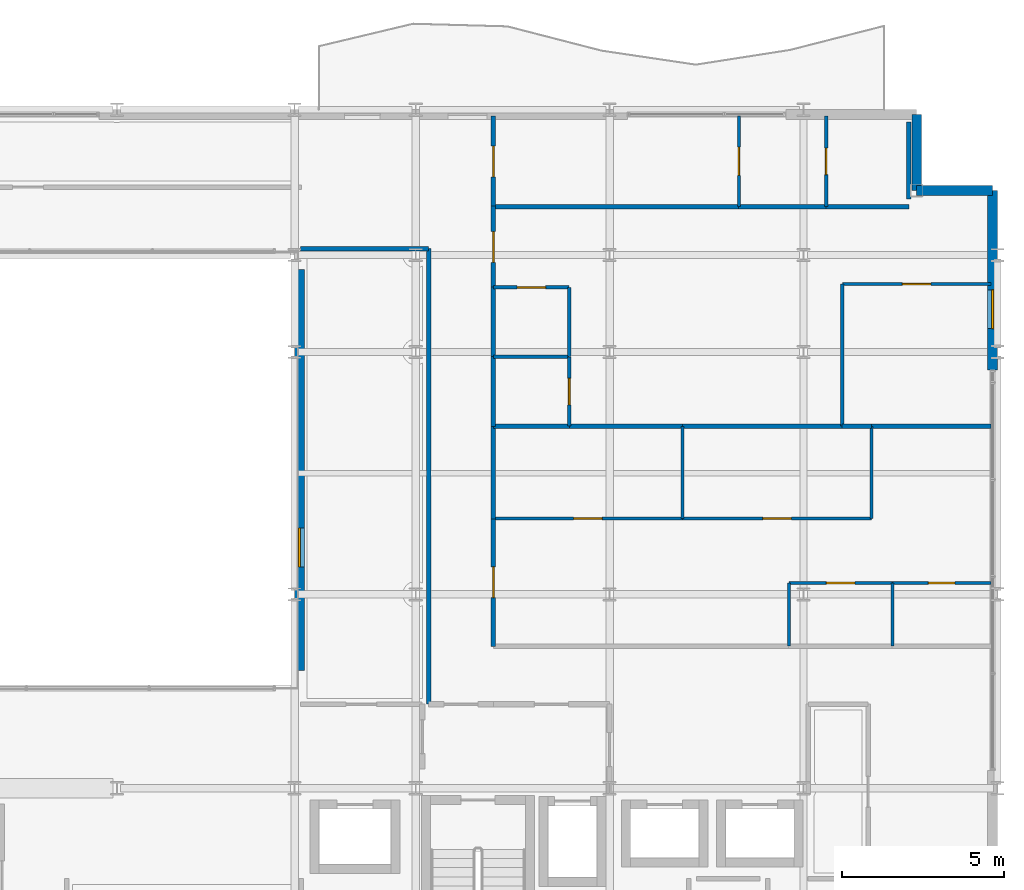
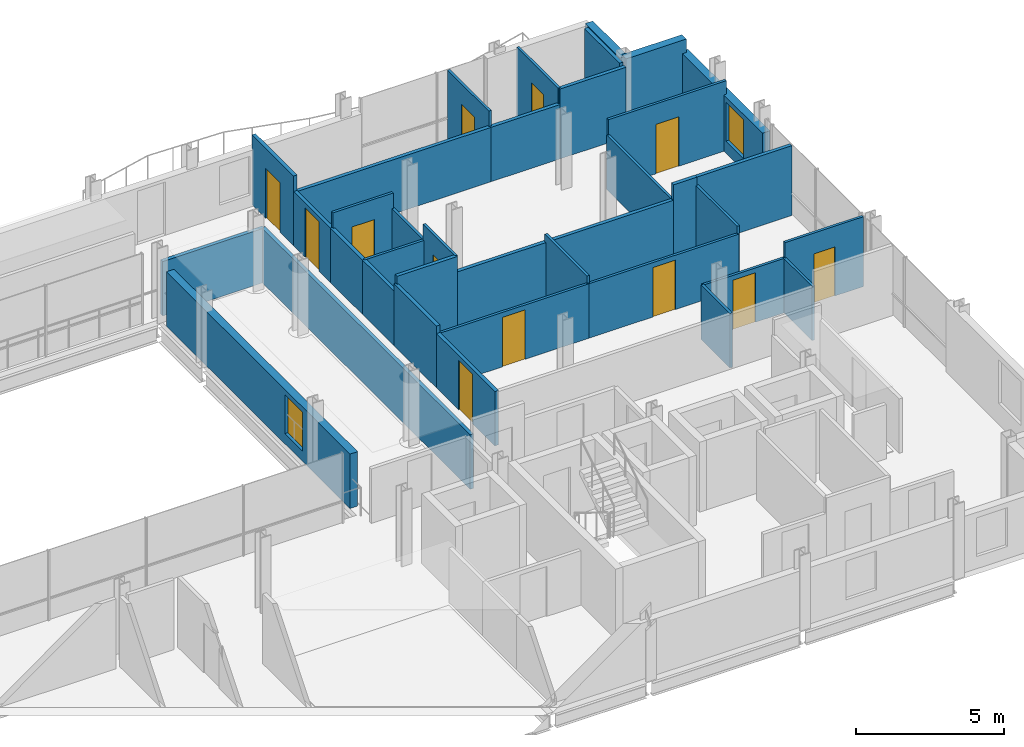
# One storey, part 37 of 41: 37 walls, 12 doors, 2 windows, 14 openings.
"""IFC4 building model written with IfcOpenShell, lengths in metres."""

import ifcopenshell
import ifcopenshell.guid

model = None  # the IFC model being written
_history = None  # IfcOwnerHistory: only IFC2X3 demands one
_inside = {}  # id of a spatial element -> (the spatial element, [elements in it])
_under = {}  # id of a project, library or spatial element -> (it, [spatial elements below it])
_declared = {}  # id of a project -> (the project, [libraries it declares])
_typed = {}  # id of a type object -> (the type object, [elements of that type])
_made_of = {}  # id of a material, layer set ... -> (it, [elements and type objects made of it])


def new_model(schema):
    """Start an empty IFC model of exactly this schema.

    Asked for "IFC4X3", IfcOpenShell would pick the latest addendum, in which some entities
    have other attributes; the version numbers below select the first issue.
    IFC2X3 requires an IfcOwnerHistory on every rooted entity: one is made here for all.
    """
    global model, _history
    if schema == "IFC4X3":
        model = ifcopenshell.file(schema_version=(4, 3, 0, 0))
    else:
        model = ifcopenshell.file(schema=schema)
    _inside.clear()
    _under.clear()
    _declared.clear()
    _typed.clear()
    _made_of.clear()
    _history = None
    if model.schema == "IFC2X3":
        org = make("IfcOrganization", Name="unknown")
        user = make(
            "IfcPersonAndOrganization",
            ThePerson=make("IfcPerson", FamilyName="unknown"),
            TheOrganization=org,
        )
        app = make(
            "IfcApplication",
            ApplicationDeveloper=org,
            Version="unknown",
            ApplicationFullName="unknown",
            ApplicationIdentifier="unknown",
        )
        _history = make(
            "IfcOwnerHistory",
            OwningUser=user,
            OwningApplication=app,
            ChangeAction="ADDED",
            CreationDate=0,
        )
    return model


def make(cls, **values):
    """One entity of the class cls with the attributes given. An attribute that is None is left unset."""
    return model.create_entity(
        cls, **{name: value for name, value in values.items() if value is not None}
    )


def rooted(cls, **values):
    """An entity with a GlobalId (a new one), such as an element, a storey or a relation."""
    return make(cls, GlobalId=ifcopenshell.guid.new(), OwnerHistory=_history, **values)


def si_unit(unit_type, name, prefix=None):
    """IfcSIUnit, for example si_unit("LENGTHUNIT", "METRE", prefix="MILLI")."""
    return make("IfcSIUnit", UnitType=unit_type, Prefix=prefix, Name=name)


def assignment(units):
    """IfcUnitAssignment: the units of a project."""
    return None if units is None else make("IfcUnitAssignment", Units=units)


def point(xyz):
    """IfcCartesianPoint."""
    return None if xyz is None else make("IfcCartesianPoint", Coordinates=xyz)


def direction(xyz):
    """IfcDirection."""
    return None if xyz is None else make("IfcDirection", DirectionRatios=xyz)


def frame(location, z_axis=None, x_axis=None):
    """IfcAxis2Placement3D, a coordinate frame: its origin and axes. An axis left out is left unset."""
    return make(
        "IfcAxis2Placement3D",
        Location=point(location),
        Axis=direction(z_axis),
        RefDirection=direction(x_axis),
    )


def frame_2d(location, x_axis=None):
    """IfcAxis2Placement2D, a coordinate frame in the plane: its origin and x axis."""
    return make(
        "IfcAxis2Placement2D", Location=point(location), RefDirection=direction(x_axis)
    )


def origin():
    """The frame at (0, 0, 0) with its axes left unset."""
    return frame((0.0, 0.0, 0.0))


def place(relative_to, where):
    """IfcLocalPlacement: puts the frame where relative to a parent placement (None: the world)."""
    return make(
        "IfcLocalPlacement", PlacementRelTo=relative_to, RelativePlacement=where
    )


def context(
    kind, dimensions, precision=None, world=None, true_north=None, identifier=None
):
    """IfcGeometricRepresentationContext, for example the 3D "Model" context."""
    return make(
        "IfcGeometricRepresentationContext",
        ContextIdentifier=identifier,
        ContextType=kind,
        CoordinateSpaceDimension=dimensions,
        Precision=precision,
        WorldCoordinateSystem=world,
        TrueNorth=true_north,
    )


def subcontext(parent, identifier, kind, view, scale=None):
    """IfcGeometricRepresentationSubContext, for example "Body" below "Model"."""
    return make(
        "IfcGeometricRepresentationSubContext",
        ContextIdentifier=identifier,
        ContextType=kind,
        ParentContext=parent,
        TargetScale=scale,
        TargetView=view,
    )


def project(units=None, contexts=None):
    """IfcProject with its units and contexts."""
    return rooted(
        "IfcProject",
        Name="project",
        RepresentationContexts=contexts,
        UnitsInContext=assignment(units),
    )


def spatial(cls, under=None, at=None, **own):
    """A site, building, storey or space (cls), placed at a placement, below another one or the project."""
    s = rooted(cls, ObjectPlacement=at, **own)
    if under is not None:
        _under.setdefault(under.id(), (under, []))[1].append(s)
    return s


def profile(cls, at=None, kind="AREA", **sizes):
    """A parametric profile (cls). Its sizes go by their IFC names, for example OverallWidth=200.0."""
    return make(cls, ProfileType=kind, Position=at, **sizes)


def rectangle(**sizes):
    """IfcRectangleProfileDef."""
    return profile("IfcRectangleProfileDef", **sizes)


def extrude(swept, where, along, depth):
    """IfcExtrudedAreaSolid: the profile swept, set in the frame where, extruded along a direction by depth."""
    return make(
        "IfcExtrudedAreaSolid",
        SweptArea=swept,
        Position=where,
        ExtrudedDirection=direction(along),
        Depth=depth,
    )


def shape(context_of_items, identifier, shape_type, items):
    """IfcShapeRepresentation: the items that make up one representation, for example the "Body"."""
    return make(
        "IfcShapeRepresentation",
        ContextOfItems=context_of_items,
        RepresentationIdentifier=identifier,
        RepresentationType=shape_type,
        Items=items,
    )


def material(Name=None, Category=None):
    """IfcMaterial."""
    return make("IfcMaterial", Name=Name, Category=Category)


def layer(
    of_material, thickness, ventilated=None, Name=None, Category=None, Priority=None
):
    """IfcMaterialLayer: one layer of a wall or slab, of a material (None: an air gap)."""
    return make(
        "IfcMaterialLayer",
        Material=of_material,
        LayerThickness=thickness,
        IsVentilated=ventilated,
        Name=Name,
        Category=Category,
        Priority=Priority,
    )


def layer_set(layers, Name=None):
    """IfcMaterialLayerSet."""
    return make("IfcMaterialLayerSet", MaterialLayers=layers, LayerSetName=Name)


def made_of(thing, what):
    """Note that an element or type object is made of a material, layer set ...; save() writes the relation."""
    if what is not None:
        _made_of.setdefault(what.id(), (what, []))[1].append(thing)
    return thing


def type_object(cls, material=None, **own):
    """A type object (cls), such as IfcWallType, which elements share."""
    return made_of(rooted(cls, **own), material)


def element(
    cls,
    number,
    at=None,
    inside=None,
    cuts=None,
    type_object=None,
    material=None,
    context=None,
    identifier="Body",
    shape_type=None,
    held_by="IfcProductDefinitionShape",
    body=None,
    shapes=None,
    **own,
):
    """One element of the class cls, such as IfcWall. Its Tag is "e" and its number.

    at: its placement. inside: the storey or other place that contains it. cuts: it is an
    opening in that element (IfcRelVoidsElement). A single representation is given by context,
    identifier, shape_type and body (its items); several are given by shapes. held_by: the class
    of the entity that holds the representations. save() writes the other relations.
    """
    e = rooted(cls, Tag="e%d" % number, ObjectPlacement=at, **own)
    if body is not None:
        shapes = [shape(context, identifier, shape_type, body)]
    if shapes is not None:
        e.Representation = make(held_by, Representations=shapes)
    if inside is not None:
        _inside.setdefault(inside.id(), (inside, []))[1].append(e)
    if cuts is not None:
        rooted(
            "IfcRelVoidsElement", RelatingBuildingElement=cuts, RelatedOpeningElement=e
        )
    if type_object is not None:
        _typed.setdefault(type_object.id(), (type_object, []))[1].append(e)
    return made_of(e, material)


def fill(opening, filler):
    """IfcRelFillsElement: the door or window that sits in an opening."""
    return rooted(
        "IfcRelFillsElement",
        RelatingOpeningElement=opening,
        RelatedBuildingElement=filler,
    )


def aggregate(whole, parts):
    """IfcRelAggregates: a whole, such as a stair, and the parts it consists of."""
    return rooted("IfcRelAggregates", RelatingObject=whole, RelatedObjects=parts)


def save(model, path):
    """Write the relations noted so far, then the file.

    IfcRelAggregates (storeys below a building ...), IfcRelContainedInSpatialStructure (elements
    in a storey), IfcRelDefinesByType, IfcRelAssociatesMaterial and IfcRelDeclares: one each for
    every whole, place, type object, material and project.
    """
    for whole, parts in _under.values():
        aggregate(whole, parts)
    for where, things in _inside.values():
        rooted(
            "IfcRelContainedInSpatialStructure",
            RelatedElements=things,
            RelatingStructure=where,
        )
    for kind, things in _typed.values():
        rooted("IfcRelDefinesByType", RelatedObjects=things, RelatingType=kind)
    for what, things in _made_of.values():
        rooted("IfcRelAssociatesMaterial", RelatedObjects=things, RelatingMaterial=what)
    for by, libraries in _declared.values():
        rooted("IfcRelDeclares", RelatingContext=by, RelatedDefinitions=libraries)
    model.write(path)


model = new_model("IFC4")

# Units and contexts
model_context = context("Model", 3, precision=1e-05, world=origin(), true_north=direction((0.0, 1.0)))
body_context = subcontext(model_context, "Body", "Model", "MODEL_VIEW")
ifc_project = project(units=[si_unit("LENGTHUNIT", "METRE"), si_unit("AREAUNIT", "SQUARE_METRE"), si_unit("VOLUMEUNIT", "CUBIC_METRE"), si_unit("PLANEANGLEUNIT", "RADIAN"), si_unit("MASSUNIT", "GRAM", prefix="KILO")], contexts=[model_context])

# Site, building, storey
site_placement = place(None, origin())
site = spatial("IfcSite", under=ifc_project, at=site_placement, CompositionType="ELEMENT")
building_placement = place(site_placement, origin())
building = spatial("IfcBuilding", under=site, at=building_placement, Name="Brevholm Reach", CompositionType="ELEMENT")
storey_placement = place(building_placement, frame((0.0, 0.0, 144.89990234375)))
storey = spatial("IfcBuildingStorey", under=building, at=storey_placement, Name="L43", CompositionType="ELEMENT", Elevation=144.89990234375)

# Walls
ifc_material_1 = material(Name="Concrete C40/50", Category="concrete")
ifc_layer_1 = layer(ifc_material_1, 0.300048828125)
ifc_layer_set_1 = layer_set([ifc_layer_1], Name="Concrete C40/50")
wall_type_1 = type_object("IfcWallType", Name="WAL-EXT-300", PredefinedType="STANDARD", material=ifc_layer_set_1)
for number, where, z_axis, x_axis, name in (
    (1, (59.85009765625, 28.5, 0.0), (0.0, 0.0, 1.0), (-1.0, 0.0, 0.0), "L43 Facade Wall WAL-L43-CNE1"),
    (2, (57.5, 28.5, 0.0), (0.0, 0.0, 1.0), (0.0, 1.0, 0.0), "L43 Facade Wall WAL-L43-CNE2"),
):
    element("IfcWall", number, at=place(storey_placement, frame(where, z_axis=z_axis, x_axis=x_axis)), inside=storey, type_object=wall_type_1, Name=name, PredefinedType="STANDARD", context=body_context, shape_type="SweptSolid", body=[
        extrude(rectangle(XDim=2.35009765625, YDim=0.300048828125, at=frame_2d((1.175048828125, 0.0))), origin(), (0.0, 0.0, 1.0), 2.880126953125),
    ])

# Wall, opening, window
wall_1_placement = place(storey_placement, frame((59.85009765625, 22.949951171875, 0.0), z_axis=(0.0, 0.0, 1.0), x_axis=(0.0, 1.0, 0.0)))
wall_1 = element("IfcWall", 3, at=wall_1_placement, inside=storey, type_object=wall_type_1, Name="L43 Facade Wall WAL-L43-E-N", PredefinedType="STANDARD", context=body_context, shape_type="SweptSolid", body=[
    extrude(rectangle(XDim=5.550048828125, YDim=0.300048828125, at=frame_2d((2.77490234375, 0.0))), origin(), (0.0, 0.0, 1.0), 2.322021484375),
])
opening_1_placement = place(wall_1_placement, frame((1.27001953125, 0.0, 0.501953125)))
opening_1 = element("IfcOpeningElement", 4, at=opening_1_placement, cuts=wall_1, Name="Opening WN-08", PredefinedType="OPENING", context=body_context, shape_type="SweptSolid", body=[
    extrude(rectangle(XDim=1.199951171875, YDim=1.60009765625, at=frame_2d((0.60009765625, 0.800048828125))), frame((0.0, 0.159912109375, 0.0), z_axis=(0.0, -1.0, 0.0), x_axis=(1.0, 0.0, 0.0)), (0.0, 0.0, 1.0), 0.320068359375),
])
ifc_material_2 = material(Name="Dark Anodised Aluminium and Solar-Control IGU Glass", Category="aluminium")
window_type = type_object("IfcWindowType", Name="WIN-RES-1200", PartitioningType="SINGLE_PANEL", PredefinedType="WINDOW", material=ifc_material_2)
window_1_placement = place(opening_1_placement, origin())
window_1 = element("IfcWindow", 5, at=window_1_placement, inside=storey, type_object=window_type, Name="L43 Window WIN-L43-EN-1", OverallHeight=1.60009765625, OverallWidth=1.199951171875, PartitioningType="SINGLE_PANEL", PredefinedType="WINDOW", context=body_context, shape_type="SweptSolid", body=[
    extrude(rectangle(XDim=1.199951171875, YDim=1.60009765625, at=frame_2d((0.60009765625, 0.800048828125))), frame((0.0, 0.030029296875, 0.0), z_axis=(0.0, -1.0, 0.0), x_axis=(1.0, 0.0, 0.0)), (0.0, 0.0, 1.0), 0.06005859375),
])
fill(opening_1, window_1)

wall_2_placement = place(storey_placement, frame((38.39990234375, 13.64990234375, 0.0), z_axis=(0.0, 0.0, 1.0), x_axis=(0.0, 1.0, 0.0)))
wall_2 = element("IfcWall", 6, at=wall_2_placement, inside=storey, type_object=wall_type_1, Name="L43 Facade Wall WAL-L43-AT-E", PredefinedType="STANDARD", context=body_context, shape_type="SweptSolid", body=[
    extrude(rectangle(XDim=12.400146484375, YDim=0.300048828125, at=frame_2d((6.2001953125, 0.0))), origin(), (0.0, 0.0, 1.0), 2.242919921875),
])
opening_2_placement = place(wall_2_placement, frame((3.199951171875, 0.0, 0.423095703125)))
opening_2 = element("IfcOpeningElement", 7, at=opening_2_placement, cuts=wall_2, Name="Opening WN-08", PredefinedType="OPENING", context=body_context, shape_type="SweptSolid", body=[
    extrude(rectangle(XDim=1.199951171875, YDim=1.60009765625, at=frame_2d((0.60009765625, 0.800048828125))), frame((0.0, 0.159912109375, 0.0), z_axis=(0.0, -1.0, 0.0), x_axis=(1.0, 0.0, 0.0)), (0.0, 0.0, 1.0), 0.320068359375),
])
window_2_placement = place(opening_2_placement, origin())
window_2 = element("IfcWindow", 8, at=window_2_placement, inside=storey, type_object=window_type, Name="L43 Window WIN-L43-AT-E1", OverallHeight=1.60009765625, OverallWidth=1.199951171875, PartitioningType="SINGLE_PANEL", PredefinedType="WINDOW", context=body_context, shape_type="SweptSolid", body=[
    extrude(rectangle(XDim=1.199951171875, YDim=1.60009765625, at=frame_2d((0.60009765625, 0.800048828125))), frame((0.0, 0.030029296875, 0.0), z_axis=(0.0, -1.0, 0.0), x_axis=(1.0, 0.0, 0.0)), (0.0, 0.0, 1.0), 0.06005859375),
])
fill(opening_2, window_2)

# Wall
ifc_material_3 = material(Name="Moisture-Resistant Acoustic Gypsum Stud Partition 100 mm", Category="gypsum")
ifc_layer_2 = layer(ifc_material_3, 0.10009765625)
ifc_layer_set_2 = layer_set([ifc_layer_2], Name="Moisture-Resistant Acoustic Gypsum Stud Partition 100 mm")
wall_type_2 = type_object("IfcWallType", Name="WAL-PRT-100", PredefinedType="PARTITIONING", material=ifc_layer_set_2)
wall_3_placement = place(storey_placement, frame((56.75, 14.404052734375, 0.0), z_axis=(0.0, 0.0, 1.0), x_axis=(0.0, 1.0, 0.0)))
element("IfcWall", 9, at=wall_3_placement, inside=storey, type_object=wall_type_2, Name="L43 Internal Partition 099", PredefinedType="PARTITIONING", context=body_context, shape_type="SweptSolid", body=[
    extrude(rectangle(XDim=1.946044921875, YDim=0.10009765625, at=frame_2d((0.97314453125, 0.0))), origin(), (0.0, 0.0, 1.0), 2.242919921875),
])

# Wall, opening, door
wall_4_placement = place(storey_placement, frame((56.75, 16.35009765625, 0.0), z_axis=(0.0, 0.0, 1.0), x_axis=(1.0, 0.0, 0.0)))
wall_4 = element("IfcWall", 10, at=wall_4_placement, inside=storey, type_object=wall_type_2, Name="L43 Internal Partition 100", PredefinedType="PARTITIONING", context=body_context, shape_type="SweptSolid", body=[
    extrude(rectangle(XDim=3.050048828125, YDim=0.10009765625, at=frame_2d((1.52490234375, 0.0))), origin(), (0.0, 0.0, 1.0), 2.880126953125),
])
opening_3_placement = place(wall_4_placement, frame((1.114990234375, 0.0, 0.0)))
opening_3 = element("IfcOpeningElement", 11, at=opening_3_placement, cuts=wall_4, Name="Opening ID-03", PredefinedType="OPENING", context=body_context, shape_type="SweptSolid", body=[
    extrude(rectangle(XDim=0.820068359375, YDim=2.02001953125, at=frame_2d((0.41015625, 1.010009765625))), frame((0.0, 0.06005859375, 0.0), z_axis=(0.0, -1.0, 0.0), x_axis=(1.0, 0.0, 0.0)), (0.0, 0.0, 1.0), 0.1201171875),
])
ifc_material_4 = material(Name="Moisture-Resistant Painted Timber Internal Bathroom Door", Category="wood")
door_type_1 = type_object("IfcDoorType", Name="DOR-BATH-820", OperationType="NOTDEFINED", PredefinedType="DOOR", material=ifc_material_4)
door_1_placement = place(opening_3_placement, origin())
door_1 = element("IfcDoor", 12, at=door_1_placement, inside=storey, type_object=door_type_1, Name="L43 Internal Door 042", OperationType="SINGLE_SWING_LEFT", OverallHeight=2.02001953125, OverallWidth=0.820068359375, PredefinedType="DOOR", context=body_context, shape_type="SweptSolid", body=[
    extrude(rectangle(XDim=0.820068359375, YDim=2.02001953125, at=frame_2d((0.41015625, 1.010009765625))), frame((0.0, 0.02490234375, 0.0), z_axis=(0.0, -1.0, 0.0), x_axis=(1.0, 0.0, 0.0)), (0.0, 0.0, 1.0), 0.050048828125),
])
fill(opening_3, door_1)

wall_5_placement = place(storey_placement, frame((53.550048828125, 16.35009765625, 0.0), z_axis=(0.0, 0.0, 1.0), x_axis=(1.0, 0.0, 0.0)))
wall_5 = element("IfcWall", 13, at=wall_5_placement, inside=storey, type_object=wall_type_2, Name="L43 Internal Partition 101", PredefinedType="PARTITIONING", context=body_context, shape_type="SweptSolid", body=[
    extrude(rectangle(XDim=3.196044921875, YDim=0.10009765625, at=frame_2d((1.59814453125, 0.0))), origin(), (0.0, 0.0, 1.0), 2.242919921875),
])
opening_4_placement = place(wall_5_placement, frame((1.157958984375, 0.0, 0.0)))
opening_4 = element("IfcOpeningElement", 14, at=opening_4_placement, cuts=wall_5, Name="Opening ID-01", PredefinedType="OPENING", context=body_context, shape_type="SweptSolid", body=[
    extrude(rectangle(XDim=0.8798828125, YDim=2.0400390625, at=frame_2d((0.43994140625, 1.02001953125))), frame((0.0, 0.06005859375, 0.0), z_axis=(0.0, -1.0, 0.0), x_axis=(1.0, 0.0, 0.0)), (0.0, 0.0, 1.0), 0.1201171875),
])
ifc_material_5 = material(Name="Lacquered Ash Solid-Core Acoustic Internal Door", Category="timber")
door_type_2 = type_object("IfcDoorType", Name="DOR-INT-880", OperationType="NOTDEFINED", PredefinedType="DOOR", material=ifc_material_5)
door_2_placement = place(opening_4_placement, origin())
door_2 = element("IfcDoor", 15, at=door_2_placement, inside=storey, type_object=door_type_2, Name="L43 Internal Door 043", OperationType="SINGLE_SWING_RIGHT", OverallHeight=2.0400390625, OverallWidth=0.8798828125, PredefinedType="DOOR", context=body_context, shape_type="SweptSolid", body=[
    extrude(rectangle(XDim=0.8798828125, YDim=2.0400390625, at=frame_2d((0.43994140625, 1.02001953125))), frame((0.0, 0.02490234375, 0.0), z_axis=(0.0, -1.0, 0.0), x_axis=(1.0, 0.0, 0.0)), (0.0, 0.0, 1.0), 0.050048828125),
])
fill(opening_4, door_2)

# Walls
wall_6_placement = place(storey_placement, frame((53.550048828125, 14.404052734375, 0.0), z_axis=(0.0, 0.0, 1.0), x_axis=(0.0, 1.0, 0.0)))
element("IfcWall", 16, at=wall_6_placement, inside=storey, type_object=wall_type_2, Name="L43 Internal Partition 102", PredefinedType="PARTITIONING", context=body_context, shape_type="SweptSolid", body=[
    extrude(rectangle(XDim=1.946044921875, YDim=0.10009765625, at=frame_2d((0.97314453125, 0.0))), origin(), (0.0, 0.0, 1.0), 2.242919921875),
])
wall_7_placement = place(storey_placement, frame((50.251953125, 18.35009765625, 0.0), z_axis=(0.0, 0.0, 1.0), x_axis=(0.0, 1.0, 0.0)))
element("IfcWall", 17, at=wall_7_placement, inside=storey, type_object=wall_type_2, Name="L43 Internal Partition 103", PredefinedType="PARTITIONING", context=body_context, shape_type="SweptSolid", body=[
    extrude(rectangle(XDim=2.849853515625, YDim=0.10009765625, at=frame_2d((1.4248046875, 0.0))), origin(), (0.0, 0.0, 1.0), 2.5517578125),
])

# Wall, opening, door
wall_8_placement = place(storey_placement, frame((44.404052734375, 18.35009765625, 0.0), z_axis=(0.0, 0.0, 1.0), x_axis=(1.0, 0.0, 0.0)))
wall_8 = element("IfcWall", 18, at=wall_8_placement, inside=storey, type_object=wall_type_2, Name="L43 Internal Partition 104", PredefinedType="PARTITIONING", context=body_context, shape_type="SweptSolid", body=[
    extrude(rectangle(XDim=5.847900390625, YDim=0.10009765625, at=frame_2d((2.923828125, 0.0))), origin(), (0.0, 0.0, 1.0), 2.242919921875),
])
opening_5_placement = place(wall_8_placement, frame((2.48388671875, 0.0, 0.0)))
opening_5 = element("IfcOpeningElement", 19, at=opening_5_placement, cuts=wall_8, Name="Opening ID-01", PredefinedType="OPENING", context=body_context, shape_type="SweptSolid", body=[
    extrude(rectangle(XDim=0.8798828125, YDim=2.0400390625, at=frame_2d((0.43994140625, 1.02001953125))), frame((0.0, 0.06005859375, 0.0), z_axis=(0.0, -1.0, 0.0), x_axis=(1.0, 0.0, 0.0)), (0.0, 0.0, 1.0), 0.1201171875),
])
door_3_placement = place(opening_5_placement, origin())
door_3 = element("IfcDoor", 20, at=door_3_placement, inside=storey, type_object=door_type_2, Name="L43 Internal Door 044", OperationType="SINGLE_SWING_LEFT", OverallHeight=2.0400390625, OverallWidth=0.8798828125, PredefinedType="DOOR", context=body_context, shape_type="SweptSolid", body=[
    extrude(rectangle(XDim=0.8798828125, YDim=2.0400390625, at=frame_2d((0.43994140625, 1.02001953125))), frame((0.0, 0.02490234375, 0.0), z_axis=(0.0, -1.0, 0.0), x_axis=(1.0, 0.0, 0.0)), (0.0, 0.0, 1.0), 0.050048828125),
])
fill(opening_5, door_3)

wall_9_placement = place(storey_placement, frame((50.256103515625, 18.35009765625, 0.0), z_axis=(0.0, 0.0, 1.0), x_axis=(1.0, 0.0, 0.0)))
wall_9 = element("IfcWall", 21, at=wall_9_placement, inside=storey, type_object=wall_type_2, Name="L43 Internal Partition 107", PredefinedType="PARTITIONING", context=body_context, shape_type="SweptSolid", body=[
    extrude(rectangle(XDim=5.847900390625, YDim=0.10009765625, at=frame_2d((2.923828125, 0.0))), origin(), (0.0, 0.0, 1.0), 2.242919921875),
])
opening_6_placement = place(wall_9_placement, frame((2.48388671875, 0.0, 0.0)))
opening_6 = element("IfcOpeningElement", 22, at=opening_6_placement, cuts=wall_9, Name="Opening ID-01", PredefinedType="OPENING", context=body_context, shape_type="SweptSolid", body=[
    extrude(rectangle(XDim=0.8798828125, YDim=2.0400390625, at=frame_2d((0.43994140625, 1.02001953125))), frame((0.0, 0.06005859375, 0.0), z_axis=(0.0, -1.0, 0.0), x_axis=(1.0, 0.0, 0.0)), (0.0, 0.0, 1.0), 0.1201171875),
])
door_4_placement = place(opening_6_placement, origin())
door_4 = element("IfcDoor", 23, at=door_4_placement, inside=storey, type_object=door_type_2, Name="L43 Internal Door 045", OperationType="SINGLE_SWING_RIGHT", OverallHeight=2.0400390625, OverallWidth=0.8798828125, PredefinedType="DOOR", context=body_context, shape_type="SweptSolid", body=[
    extrude(rectangle(XDim=0.8798828125, YDim=2.0400390625, at=frame_2d((0.43994140625, 1.02001953125))), frame((0.0, 0.02490234375, 0.0), z_axis=(0.0, -1.0, 0.0), x_axis=(1.0, 0.0, 0.0)), (0.0, 0.0, 1.0), 0.050048828125),
])
fill(opening_6, door_4)

# Walls
wall_10_placement = place(storey_placement, frame((56.10400390625, 18.35009765625, 0.0), z_axis=(0.0, 0.0, 1.0), x_axis=(0.0, 1.0, 0.0)))
element("IfcWall", 24, at=wall_10_placement, inside=storey, type_object=wall_type_2, Name="L43 Internal Partition 108", PredefinedType="PARTITIONING", context=body_context, shape_type="SweptSolid", body=[
    extrude(rectangle(XDim=2.849853515625, YDim=0.10009765625, at=frame_2d((1.4248046875, 0.0))), origin(), (0.0, 0.0, 1.0), 2.5517578125),
])
wall_11_placement = place(storey_placement, frame((44.404052734375, 23.35009765625, 0.0), z_axis=(0.0, 0.0, 1.0), x_axis=(1.0, 0.0, 0.0)))
element("IfcWall", 25, at=wall_11_placement, inside=storey, type_object=wall_type_2, Name="L43 Internal Partition 112", PredefinedType="PARTITIONING", context=body_context, shape_type="SweptSolid", body=[
    extrude(rectangle(XDim=2.345947265625, YDim=0.10009765625, at=frame_2d((1.1728515625, 0.0))), origin(), (0.0, 0.0, 1.0), 2.242919921875),
])

# Wall, opening, door
wall_12_placement = place(storey_placement, frame((46.75, 21.2041015625, 0.0), z_axis=(0.0, 0.0, 1.0), x_axis=(0.0, 1.0, 0.0)))
wall_12 = element("IfcWall", 26, at=wall_12_placement, inside=storey, type_object=wall_type_2, Name="L43 Internal Partition 113", PredefinedType="PARTITIONING", context=body_context, shape_type="SweptSolid", body=[
    extrude(rectangle(XDim=2.14599609375, YDim=0.10009765625, at=frame_2d((1.072998046875, 0.0))), origin(), (0.0, 0.0, 1.0), 2.880126953125),
])
opening_7_placement = place(wall_12_placement, frame((0.6630859375, 0.0, 0.0)))
opening_7 = element("IfcOpeningElement", 27, at=opening_7_placement, cuts=wall_12, Name="Opening ID-03", PredefinedType="OPENING", context=body_context, shape_type="SweptSolid", body=[
    extrude(rectangle(XDim=0.820068359375, YDim=2.02001953125, at=frame_2d((0.41015625, 1.010009765625))), frame((0.0, 0.06005859375, 0.0), z_axis=(0.0, -1.0, 0.0), x_axis=(1.0, 0.0, 0.0)), (0.0, 0.0, 1.0), 0.1201171875),
])
door_5_placement = place(opening_7_placement, origin())
door_5 = element("IfcDoor", 28, at=door_5_placement, inside=storey, type_object=door_type_1, Name="L43 Internal Door 046", OperationType="SINGLE_SWING_LEFT", OverallHeight=2.02001953125, OverallWidth=0.820068359375, PredefinedType="DOOR", context=body_context, shape_type="SweptSolid", body=[
    extrude(rectangle(XDim=0.820068359375, YDim=2.02001953125, at=frame_2d((0.41015625, 1.010009765625))), frame((0.0, 0.02490234375, 0.0), z_axis=(0.0, -1.0, 0.0), x_axis=(1.0, 0.0, 0.0)), (0.0, 0.0, 1.0), 0.050048828125),
])
fill(opening_7, door_5)

# Wall
wall_13_placement = place(storey_placement, frame((46.75, 23.35400390625, 0.0), z_axis=(0.0, 0.0, 1.0), x_axis=(0.0, 1.0, 0.0)))
element("IfcWall", 29, at=wall_13_placement, inside=storey, type_object=wall_type_2, Name="L43 Internal Partition 114", PredefinedType="PARTITIONING", context=body_context, shape_type="SweptSolid", body=[
    extrude(rectangle(XDim=2.14599609375, YDim=0.10009765625, at=frame_2d((1.072998046875, 0.0))), origin(), (0.0, 0.0, 1.0), 2.242919921875),
])

# Wall, opening, door
wall_14_placement = place(storey_placement, frame((44.404052734375, 25.5, 0.0), z_axis=(0.0, 0.0, 1.0), x_axis=(1.0, 0.0, 0.0)))
wall_14 = element("IfcWall", 30, at=wall_14_placement, inside=storey, type_object=wall_type_2, Name="L43 Internal Partition 115", PredefinedType="PARTITIONING", context=body_context, shape_type="SweptSolid", body=[
    extrude(rectangle(XDim=2.345947265625, YDim=0.10009765625, at=frame_2d((1.1728515625, 0.0))), origin(), (0.0, 0.0, 1.0), 2.880126953125),
])
opening_8_placement = place(wall_14_placement, frame((0.73291015625, 0.0, 0.0)))
opening_8 = element("IfcOpeningElement", 31, at=opening_8_placement, cuts=wall_14, Name="Opening ID-01", PredefinedType="OPENING", context=body_context, shape_type="SweptSolid", body=[
    extrude(rectangle(XDim=0.8798828125, YDim=2.0400390625, at=frame_2d((0.43994140625, 1.02001953125))), frame((0.0, 0.06005859375, 0.0), z_axis=(0.0, -1.0, 0.0), x_axis=(1.0, 0.0, 0.0)), (0.0, 0.0, 1.0), 0.1201171875),
])
door_6_placement = place(opening_8_placement, origin())
door_6 = element("IfcDoor", 32, at=door_6_placement, inside=storey, type_object=door_type_2, Name="L43 Internal Door 047", OperationType="SINGLE_SWING_RIGHT", OverallHeight=2.0400390625, OverallWidth=0.8798828125, PredefinedType="DOOR", context=body_context, shape_type="SweptSolid", body=[
    extrude(rectangle(XDim=0.8798828125, YDim=2.0400390625, at=frame_2d((0.43994140625, 1.02001953125))), frame((0.0, 0.02490234375, 0.0), z_axis=(0.0, -1.0, 0.0), x_axis=(1.0, 0.0, 0.0)), (0.0, 0.0, 1.0), 0.050048828125),
])
fill(opening_8, door_6)

wall_15_placement = place(storey_placement, frame((55.199951171875, 25.60009765625, 0.0), z_axis=(0.0, 0.0, 1.0), x_axis=(1.0, 0.0, 0.0)))
wall_15 = element("IfcWall", 33, at=wall_15_placement, inside=storey, type_object=wall_type_2, Name="L43 Internal Partition 116", PredefinedType="PARTITIONING", context=body_context, shape_type="SweptSolid", body=[
    extrude(rectangle(XDim=4.60009765625, YDim=0.10009765625, at=frame_2d((2.300048828125, 0.0))), origin(), (0.0, 0.0, 1.0), 2.880126953125),
])
opening_9_placement = place(wall_15_placement, frame((1.860107421875, 0.0, 0.0)))
opening_9 = element("IfcOpeningElement", 34, at=opening_9_placement, cuts=wall_15, Name="Opening ID-01", PredefinedType="OPENING", context=body_context, shape_type="SweptSolid", body=[
    extrude(rectangle(XDim=0.8798828125, YDim=2.0400390625, at=frame_2d((0.43994140625, 1.02001953125))), frame((0.0, 0.06005859375, 0.0), z_axis=(0.0, -1.0, 0.0), x_axis=(1.0, 0.0, 0.0)), (0.0, 0.0, 1.0), 0.1201171875),
])
door_7_placement = place(opening_9_placement, origin())
door_7 = element("IfcDoor", 35, at=door_7_placement, inside=storey, type_object=door_type_2, Name="L43 Internal Door 048", OperationType="SINGLE_SWING_LEFT", OverallHeight=2.0400390625, OverallWidth=0.8798828125, PredefinedType="DOOR", context=body_context, shape_type="SweptSolid", body=[
    extrude(rectangle(XDim=0.8798828125, YDim=2.0400390625, at=frame_2d((0.43994140625, 1.02001953125))), frame((0.0, 0.02490234375, 0.0), z_axis=(0.0, -1.0, 0.0), x_axis=(1.0, 0.0, 0.0)), (0.0, 0.0, 1.0), 0.050048828125),
])
fill(opening_9, door_7)

# Wall
wall_16_placement = place(storey_placement, frame((55.199951171875, 21.2041015625, 0.0), z_axis=(0.0, 0.0, 1.0), x_axis=(0.0, 1.0, 0.0)))
element("IfcWall", 36, at=wall_16_placement, inside=storey, type_object=wall_type_2, Name="L43 Internal Partition 117", PredefinedType="PARTITIONING", context=body_context, shape_type="SweptSolid", body=[
    extrude(rectangle(XDim=4.39599609375, YDim=0.10009765625, at=frame_2d((2.197998046875, 0.0))), origin(), (0.0, 0.0, 1.0), 2.242919921875),
])

# Wall, opening, door
wall_17_placement = place(storey_placement, frame((54.699951171875, 28.00390625, 0.0), z_axis=(0.0, 0.0, 1.0), x_axis=(0.0, 1.0, 0.0)))
wall_17 = element("IfcWall", 37, at=wall_17_placement, inside=storey, type_object=wall_type_2, Name="L43 Internal Partition 123", PredefinedType="PARTITIONING", context=body_context, shape_type="SweptSolid", body=[
    extrude(rectangle(XDim=2.796142578125, YDim=0.10009765625, at=frame_2d((1.39794921875, 0.0))), origin(), (0.0, 0.0, 1.0), 2.880126953125),
])
opening_10_placement = place(wall_17_placement, frame((0.988037109375, 0.0, 0.0)))
opening_10 = element("IfcOpeningElement", 38, at=opening_10_placement, cuts=wall_17, Name="Opening ID-03", PredefinedType="OPENING", context=body_context, shape_type="SweptSolid", body=[
    extrude(rectangle(XDim=0.820068359375, YDim=2.02001953125, at=frame_2d((0.41015625, 1.010009765625))), frame((0.0, 0.06005859375, 0.0), z_axis=(0.0, -1.0, 0.0), x_axis=(1.0, 0.0, 0.0)), (0.0, 0.0, 1.0), 0.1201171875),
])
door_8_placement = place(opening_10_placement, origin())
door_8 = element("IfcDoor", 39, at=door_8_placement, inside=storey, type_object=door_type_1, Name="L43 Access Door 052", OperationType="SINGLE_SWING_LEFT", OverallHeight=2.02001953125, OverallWidth=0.820068359375, PredefinedType="DOOR", context=body_context, shape_type="SweptSolid", body=[
    extrude(rectangle(XDim=0.820068359375, YDim=2.02001953125, at=frame_2d((0.41015625, 1.010009765625))), frame((0.0, 0.02490234375, 0.0), z_axis=(0.0, -1.0, 0.0), x_axis=(1.0, 0.0, 0.0)), (0.0, 0.0, 1.0), 0.050048828125),
])
fill(opening_10, door_8)

wall_18_placement = place(storey_placement, frame((52.0, 28.00390625, 0.0), z_axis=(0.0, 0.0, 1.0), x_axis=(0.0, 1.0, 0.0)))
wall_18 = element("IfcWall", 40, at=wall_18_placement, inside=storey, type_object=wall_type_2, Name="L43 Internal Partition 124", PredefinedType="PARTITIONING", context=body_context, shape_type="SweptSolid", body=[
    extrude(rectangle(XDim=2.796142578125, YDim=0.10009765625, at=frame_2d((1.39794921875, 0.0))), origin(), (0.0, 0.0, 1.0), 2.880126953125),
])
opening_11_placement = place(wall_18_placement, frame((0.9580078125, 0.0, 0.0)))
opening_11 = element("IfcOpeningElement", 41, at=opening_11_placement, cuts=wall_18, Name="Opening ID-01", PredefinedType="OPENING", context=body_context, shape_type="SweptSolid", body=[
    extrude(rectangle(XDim=0.8798828125, YDim=2.0400390625, at=frame_2d((0.43994140625, 1.02001953125))), frame((0.0, 0.06005859375, 0.0), z_axis=(0.0, -1.0, 0.0), x_axis=(1.0, 0.0, 0.0)), (0.0, 0.0, 1.0), 0.1201171875),
])
door_9_placement = place(opening_11_placement, origin())
door_9 = element("IfcDoor", 42, at=door_9_placement, inside=storey, type_object=door_type_2, Name="L43 Internal Door 050", OperationType="SINGLE_SWING_LEFT", OverallHeight=2.0400390625, OverallWidth=0.8798828125, PredefinedType="DOOR", context=body_context, shape_type="SweptSolid", body=[
    extrude(rectangle(XDim=0.8798828125, YDim=2.0400390625, at=frame_2d((0.43994140625, 1.02001953125))), frame((0.0, 0.02490234375, 0.0), z_axis=(0.0, -1.0, 0.0), x_axis=(1.0, 0.0, 0.0)), (0.0, 0.0, 1.0), 0.050048828125),
])
fill(opening_11, door_9)

# Wall
ifc_material_6 = material(Name="Twin-Stud Acoustic Fire-Rated Gypsum Partition 140 mm", Category="gypsum")
ifc_layer_3 = layer(ifc_material_6, 0.139892578125)
ifc_layer_set_3 = layer_set([ifc_layer_3], Name="Twin-Stud Acoustic Fire-Rated Gypsum Partition 140 mm")
wall_type_3 = type_object("IfcWallType", Name="WAL-PRT-140", PredefinedType="PARTITIONING", material=ifc_layer_set_3)
wall_19_placement = place(storey_placement, frame((44.39990234375, 18.338623046875, 0.0), z_axis=(0.0, 0.0, 1.0), x_axis=(0.0, 1.0, 0.0)))
element("IfcWall", 43, at=wall_19_placement, inside=storey, type_object=wall_type_3, Name="L43 Internal Partition 050", PredefinedType="PARTITIONING", context=body_context, shape_type="SweptSolid", body=[
    extrude(rectangle(XDim=2.87255859375, YDim=0.139892578125, at=frame_2d((1.436279296875, 0.0))), origin(), (0.0, 0.0, 1.0), 2.5517578125),
])

# Wall, opening, door
wall_20_placement = place(storey_placement, frame((44.39990234375, 14.392578125, 0.0), z_axis=(0.0, 0.0, 1.0), x_axis=(0.0, 1.0, 0.0)))
wall_20 = element("IfcWall", 44, at=wall_20_placement, inside=storey, type_object=wall_type_3, Name="L43 Internal Partition 051", PredefinedType="PARTITIONING", context=body_context, shape_type="SweptSolid", body=[
    extrude(rectangle(XDim=3.96484375, YDim=0.139892578125, at=frame_2d((1.982421875, 0.0))), origin(), (0.0, 0.0, 1.0), 2.242919921875),
])
opening_12_placement = place(wall_20_placement, frame((1.50732421875, 0.0, 0.0)))
opening_12 = element("IfcOpeningElement", 45, at=opening_12_placement, cuts=wall_20, Name="Opening ID-30", PredefinedType="OPENING", context=body_context, shape_type="SweptSolid", body=[
    extrude(rectangle(XDim=0.949951171875, YDim=2.050048828125, at=frame_2d((0.47509765625, 1.02490234375))), frame((0.0, 0.079833984375, 0.0), z_axis=(0.0, -1.0, 0.0), x_axis=(1.0, 0.0, 0.0)), (0.0, 0.0, 1.0), 0.159912109375),
])
ifc_material_7 = material(Name="European Oak Veneered Solid-Core Fire Entrance Door", Category="timber")
door_type_3 = type_object("IfcDoorType", Name="DOR-FLT-FD30S", OperationType="NOTDEFINED", PredefinedType="DOOR", material=ifc_material_7)
door_10_placement = place(opening_12_placement, origin())
door_10 = element("IfcDoor", 46, at=door_10_placement, inside=storey, type_object=door_type_3, Name="L43 Internal Door 025", OperationType="SINGLE_SWING_RIGHT", OverallHeight=2.050048828125, OverallWidth=0.949951171875, PredefinedType="DOOR", context=body_context, shape_type="SweptSolid", body=[
    extrude(rectangle(XDim=0.949951171875, YDim=2.050048828125, at=frame_2d((0.47509765625, 1.02490234375))), frame((0.0, 0.02490234375, 0.0), z_axis=(0.0, -1.0, 0.0), x_axis=(1.0, 0.0, 0.0)), (0.0, 0.0, 1.0), 0.050048828125),
])
fill(opening_12, door_10)

# Walls
wall_21_placement = place(storey_placement, frame((44.39990234375, 21.192626953125, 0.0), z_axis=(0.0, 0.0, 1.0), x_axis=(0.0, 1.0, 0.0)))
element("IfcWall", 47, at=wall_21_placement, inside=storey, type_object=wall_type_3, Name="L43 Internal Partition 052", PredefinedType="PARTITIONING", context=body_context, shape_type="SweptSolid", body=[
    extrude(rectangle(XDim=2.168701171875, YDim=0.139892578125, at=frame_2d((1.08447265625, 0.0))), origin(), (0.0, 0.0, 1.0), 2.242919921875),
])
wall_22_placement = place(storey_placement, frame((44.39990234375, 23.3427734375, 0.0), z_axis=(0.0, 0.0, 1.0), x_axis=(0.0, 1.0, 0.0)))
element("IfcWall", 48, at=wall_22_placement, inside=storey, type_object=wall_type_3, Name="L43 Internal Partition 053", PredefinedType="PARTITIONING", context=body_context, shape_type="SweptSolid", body=[
    extrude(rectangle(XDim=2.16845703125, YDim=0.139892578125, at=frame_2d((1.084228515625, 0.0))), origin(), (0.0, 0.0, 1.0), 2.242919921875),
])

# Wall, opening, door
wall_23_placement = place(storey_placement, frame((44.39990234375, 25.49267578125, 0.0), z_axis=(0.0, 0.0, 1.0), x_axis=(0.0, 1.0, 0.0)))
wall_23 = element("IfcWall", 49, at=wall_23_placement, inside=storey, type_object=wall_type_3, Name="L43 Internal Partition 054", PredefinedType="PARTITIONING", context=body_context, shape_type="SweptSolid", body=[
    extrude(rectangle(XDim=2.5185546875, YDim=0.139892578125, at=frame_2d((1.25927734375, 0.0))), origin(), (0.0, 0.0, 1.0), 2.242919921875),
])
opening_13_placement = place(wall_23_placement, frame((0.7841796875, 0.0, 0.0)))
opening_13 = element("IfcOpeningElement", 50, at=opening_13_placement, cuts=wall_23, Name="Opening ID-30", PredefinedType="OPENING", context=body_context, shape_type="SweptSolid", body=[
    extrude(rectangle(XDim=0.949951171875, YDim=2.050048828125, at=frame_2d((0.47509765625, 1.02490234375))), frame((0.0, 0.079833984375, 0.0), z_axis=(0.0, -1.0, 0.0), x_axis=(1.0, 0.0, 0.0)), (0.0, 0.0, 1.0), 0.159912109375),
])
door_11_placement = place(opening_13_placement, origin())
door_11 = element("IfcDoor", 51, at=door_11_placement, inside=storey, type_object=door_type_3, Name="L43 Internal Door 026", OperationType="SINGLE_SWING_LEFT", OverallHeight=2.050048828125, OverallWidth=0.949951171875, PredefinedType="DOOR", context=body_context, shape_type="SweptSolid", body=[
    extrude(rectangle(XDim=0.949951171875, YDim=2.050048828125, at=frame_2d((0.47509765625, 1.02490234375))), frame((0.0, 0.02490234375, 0.0), z_axis=(0.0, -1.0, 0.0), x_axis=(1.0, 0.0, 0.0)), (0.0, 0.0, 1.0), 0.050048828125),
])
fill(opening_13, door_11)

# Wall
wall_24_placement = place(storey_placement, frame((42.39990234375, 12.60400390625, 0.0), z_axis=(0.0, 0.0, 1.0), x_axis=(0.0, 1.0, 0.0)))
element("IfcWall", 52, at=wall_24_placement, inside=storey, type_object=wall_type_3, Name="L43 Internal Partition 055", PredefinedType="PARTITIONING", context=body_context, shape_type="SweptSolid", body=[
    extrude(rectangle(XDim=14.103271484375, YDim=0.139892578125, at=frame_2d((7.0517578125, 0.0))), origin(), (0.0, 0.0, 1.0), 2.242919921875),
])

# Wall, opening, door
wall_25_placement = place(storey_placement, frame((44.39990234375, 27.99267578125, 0.0), z_axis=(0.0, 0.0, 1.0), x_axis=(0.0, 1.0, 0.0)))
wall_25 = element("IfcWall", 53, at=wall_25_placement, inside=storey, type_object=wall_type_3, Name="L43 Internal Partition 056", PredefinedType="PARTITIONING", context=body_context, shape_type="SweptSolid", body=[
    extrude(rectangle(XDim=2.807373046875, YDim=0.139892578125, at=frame_2d((1.40380859375, 0.0))), origin(), (0.0, 0.0, 1.0), 2.880126953125),
])
opening_14_placement = place(wall_25_placement, frame((0.9287109375, 0.0, 0.0)))
opening_14 = element("IfcOpeningElement", 54, at=opening_14_placement, cuts=wall_25, Name="Opening ID-30", PredefinedType="OPENING", context=body_context, shape_type="SweptSolid", body=[
    extrude(rectangle(XDim=0.949951171875, YDim=2.050048828125, at=frame_2d((0.47509765625, 1.02490234375))), frame((0.0, 0.079833984375, 0.0), z_axis=(0.0, -1.0, 0.0), x_axis=(1.0, 0.0, 0.0)), (0.0, 0.0, 1.0), 0.159912109375),
])
door_12_placement = place(opening_14_placement, origin())
door_12 = element("IfcDoor", 55, at=door_12_placement, inside=storey, type_object=door_type_3, Name="L43 Internal Door 027", OperationType="SINGLE_SWING_RIGHT", OverallHeight=2.050048828125, OverallWidth=0.949951171875, PredefinedType="DOOR", context=body_context, shape_type="SweptSolid", body=[
    extrude(rectangle(XDim=0.949951171875, YDim=2.050048828125, at=frame_2d((0.47509765625, 1.02490234375))), frame((0.0, 0.02490234375, 0.0), z_axis=(0.0, -1.0, 0.0), x_axis=(1.0, 0.0, 0.0)), (0.0, 0.0, 1.0), 0.050048828125),
])
fill(opening_14, door_12)

# Walls
wall_26_placement = place(storey_placement, frame((38.438720703125, 26.699951171875, 0.0), z_axis=(0.0, 0.0, 1.0), x_axis=(1.0, 0.0, 0.0)))
element("IfcWall", 56, at=wall_26_placement, inside=storey, type_object=wall_type_3, Name="L43 Internal Partition 061", PredefinedType="PARTITIONING", context=body_context, shape_type="SweptSolid", body=[
    extrude(rectangle(XDim=3.957275390625, YDim=0.139892578125, at=frame_2d((1.978515625, 0.0))), origin(), (0.0, 0.0, 1.0), 2.242919921875),
])
wall_27_placement = place(storey_placement, frame((44.404052734375, 21.199951171875, 0.0), z_axis=(0.0, 0.0, 1.0), x_axis=(1.0, 0.0, 0.0)))
element("IfcWall", 57, at=wall_27_placement, inside=storey, type_object=wall_type_3, Name="L43 Internal Partition 105", PredefinedType="PARTITIONING", context=body_context, shape_type="SweptSolid", body=[
    extrude(rectangle(XDim=2.357177734375, YDim=0.139892578125, at=frame_2d((1.1787109375, 0.0))), origin(), (0.0, 0.0, 1.0), 2.880126953125),
])
wall_28_placement = place(storey_placement, frame((46.74267578125, 21.199951171875, 0.0), z_axis=(0.0, 0.0, 1.0), x_axis=(1.0, 0.0, 0.0)))
element("IfcWall", 58, at=wall_28_placement, inside=storey, type_object=wall_type_3, Name="L43 Internal Partition 106", PredefinedType="PARTITIONING", context=body_context, shape_type="SweptSolid", body=[
    extrude(rectangle(XDim=3.50927734375, YDim=0.139892578125, at=frame_2d((1.754638671875, 0.0))), origin(), (0.0, 0.0, 1.0), 2.242919921875),
])
wall_29_placement = place(storey_placement, frame((55.188720703125, 21.199951171875, 0.0), z_axis=(0.0, 0.0, 1.0), x_axis=(1.0, 0.0, 0.0)))
element("IfcWall", 59, at=wall_29_placement, inside=storey, type_object=wall_type_3, Name="L43 Internal Partition 109", PredefinedType="PARTITIONING", context=body_context, shape_type="SweptSolid", body=[
    extrude(rectangle(XDim=0.915283203125, YDim=0.139892578125, at=frame_2d((0.45751953125, 0.0))), origin(), (0.0, 0.0, 1.0), 2.880126953125),
])
wall_30_placement = place(storey_placement, frame((50.256103515625, 21.199951171875, 0.0), z_axis=(0.0, 0.0, 1.0), x_axis=(1.0, 0.0, 0.0)))
element("IfcWall", 60, at=wall_30_placement, inside=storey, type_object=wall_type_3, Name="L43 Internal Partition 110", PredefinedType="PARTITIONING", context=body_context, shape_type="SweptSolid", body=[
    extrude(rectangle(XDim=4.951171875, YDim=0.139892578125, at=frame_2d((2.4755859375, 0.0))), origin(), (0.0, 0.0, 1.0), 2.242919921875),
])
wall_31_placement = place(storey_placement, frame((56.10791015625, 21.199951171875, 0.0), z_axis=(0.0, 0.0, 1.0), x_axis=(1.0, 0.0, 0.0)))
element("IfcWall", 61, at=wall_31_placement, inside=storey, type_object=wall_type_3, Name="L43 Internal Partition 111", PredefinedType="PARTITIONING", context=body_context, shape_type="SweptSolid", body=[
    extrude(rectangle(XDim=3.692138671875, YDim=0.139892578125, at=frame_2d((1.84619140625, 0.0))), origin(), (0.0, 0.0, 1.0), 2.880126953125),
])
wall_32_placement = place(storey_placement, frame((54.688720703125, 28.0, 0.0), z_axis=(0.0, 0.0, 1.0), x_axis=(1.0, 0.0, 0.0)))
element("IfcWall", 62, at=wall_32_placement, inside=storey, type_object=wall_type_3, Name="L43 Internal Partition 118", PredefinedType="PARTITIONING", context=body_context, shape_type="SweptSolid", body=[
    extrude(rectangle(XDim=2.572509765625, YDim=0.139892578125, at=frame_2d((1.2861328125, 0.0))), origin(), (0.0, 0.0, 1.0), 2.880126953125),
])
wall_33_placement = place(storey_placement, frame((51.98876953125, 28.0, 0.0), z_axis=(0.0, 0.0, 1.0), x_axis=(1.0, 0.0, 0.0)))
element("IfcWall", 63, at=wall_33_placement, inside=storey, type_object=wall_type_3, Name="L43 Internal Partition 119", PredefinedType="PARTITIONING", context=body_context, shape_type="SweptSolid", body=[
    extrude(rectangle(XDim=2.718505859375, YDim=0.139892578125, at=frame_2d((1.359375, 0.0))), origin(), (0.0, 0.0, 1.0), 2.242919921875),
])
wall_34_placement = place(storey_placement, frame((44.404052734375, 28.0, 0.0), z_axis=(0.0, 0.0, 1.0), x_axis=(1.0, 0.0, 0.0)))
element("IfcWall", 64, at=wall_34_placement, inside=storey, type_object=wall_type_3, Name="L43 Internal Partition 120", PredefinedType="PARTITIONING", context=body_context, shape_type="SweptSolid", body=[
    extrude(rectangle(XDim=7.603271484375, YDim=0.139892578125, at=frame_2d((3.8017578125, 0.0))), origin(), (0.0, 0.0, 1.0), 2.242919921875),
])
wall_35_placement = place(storey_placement, frame((57.25, 28.239990234375, 0.0), z_axis=(0.0, 0.0, 1.0), x_axis=(0.0, 1.0, 0.0)))
element("IfcWall", 65, at=wall_35_placement, inside=storey, type_object=wall_type_3, Name="L43 Internal Partition 130", PredefinedType="PARTITIONING", context=body_context, shape_type="SweptSolid", body=[
    extrude(rectangle(XDim=2.3701171875, YDim=0.139892578125, at=frame_2d((1.18505859375, 0.0))), origin(), (0.0, 0.0, 1.0), 2.880126953125),
])

save(model, "model.ifc")
